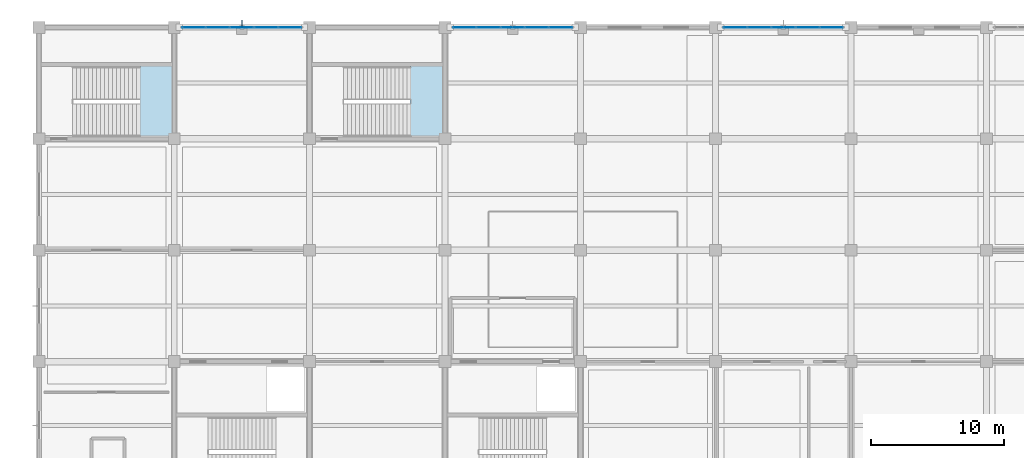
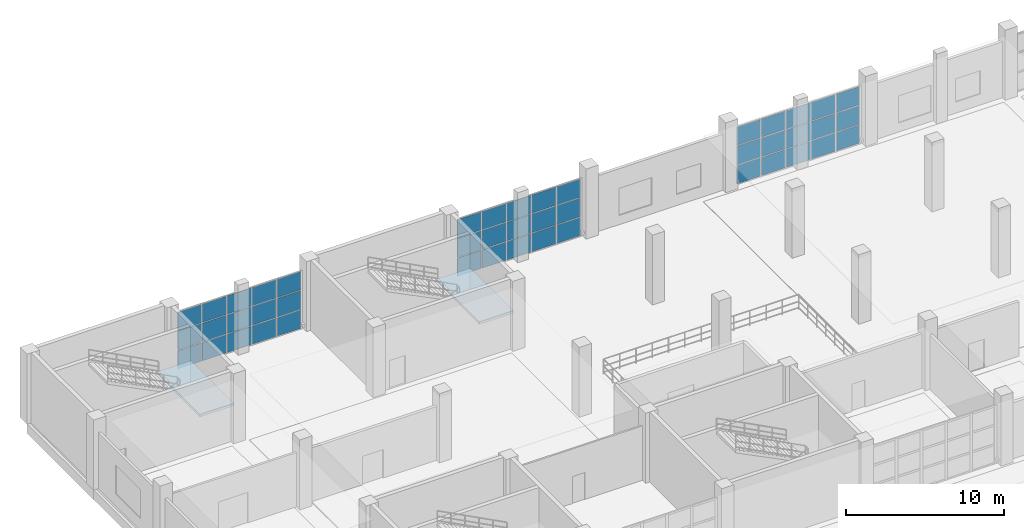
# One storey, part 120 of 175: 46 plates, 2 slabs, 5 elements without a shape of their own.
"""IFC4 building model written with IfcOpenShell, lengths in metres."""

import ifcopenshell
import ifcopenshell.guid

model = None  # the IFC model being written
_history = None  # IfcOwnerHistory: only IFC2X3 demands one
_inside = {}  # id of a spatial element -> (the spatial element, [elements in it])
_under = {}  # id of a project, library or spatial element -> (it, [spatial elements below it])
_declared = {}  # id of a project -> (the project, [libraries it declares])
_typed = {}  # id of a type object -> (the type object, [elements of that type])
_made_of = {}  # id of a material, layer set ... -> (it, [elements and type objects made of it])


def new_model(schema):
    """Start an empty IFC model of exactly this schema.

    Asked for "IFC4X3", IfcOpenShell would pick the latest addendum, in which some entities
    have other attributes; the version numbers below select the first issue.
    IFC2X3 requires an IfcOwnerHistory on every rooted entity: one is made here for all.
    """
    global model, _history
    if schema == "IFC4X3":
        model = ifcopenshell.file(schema_version=(4, 3, 0, 0))
    else:
        model = ifcopenshell.file(schema=schema)
    _inside.clear()
    _under.clear()
    _declared.clear()
    _typed.clear()
    _made_of.clear()
    _history = None
    if model.schema == "IFC2X3":
        org = make("IfcOrganization", Name="unknown")
        user = make(
            "IfcPersonAndOrganization",
            ThePerson=make("IfcPerson", FamilyName="unknown"),
            TheOrganization=org,
        )
        app = make(
            "IfcApplication",
            ApplicationDeveloper=org,
            Version="unknown",
            ApplicationFullName="unknown",
            ApplicationIdentifier="unknown",
        )
        _history = make(
            "IfcOwnerHistory",
            OwningUser=user,
            OwningApplication=app,
            ChangeAction="ADDED",
            CreationDate=0,
        )
    return model


def make(cls, **values):
    """One entity of the class cls with the attributes given. An attribute that is None is left unset."""
    return model.create_entity(
        cls, **{name: value for name, value in values.items() if value is not None}
    )


def rooted(cls, **values):
    """An entity with a GlobalId (a new one), such as an element, a storey or a relation."""
    return make(cls, GlobalId=ifcopenshell.guid.new(), OwnerHistory=_history, **values)


def si_unit(unit_type, name, prefix=None):
    """IfcSIUnit, for example si_unit("LENGTHUNIT", "METRE", prefix="MILLI")."""
    return make("IfcSIUnit", UnitType=unit_type, Prefix=prefix, Name=name)


def assignment(units):
    """IfcUnitAssignment: the units of a project."""
    return None if units is None else make("IfcUnitAssignment", Units=units)


def point(xyz):
    """IfcCartesianPoint."""
    return None if xyz is None else make("IfcCartesianPoint", Coordinates=xyz)


def direction(xyz):
    """IfcDirection."""
    return None if xyz is None else make("IfcDirection", DirectionRatios=xyz)


def frame(location, z_axis=None, x_axis=None):
    """IfcAxis2Placement3D, a coordinate frame: its origin and axes. An axis left out is left unset."""
    return make(
        "IfcAxis2Placement3D",
        Location=point(location),
        Axis=direction(z_axis),
        RefDirection=direction(x_axis),
    )


def frame_2d(location, x_axis=None):
    """IfcAxis2Placement2D, a coordinate frame in the plane: its origin and x axis."""
    return make(
        "IfcAxis2Placement2D", Location=point(location), RefDirection=direction(x_axis)
    )


def origin():
    """The frame at (0, 0, 0) with its axes left unset."""
    return frame((0.0, 0.0, 0.0))


def origin_2d():
    """The frame at (0, 0) in the plane with its x axis left unset."""
    return frame_2d((0.0, 0.0))


def place(relative_to, where):
    """IfcLocalPlacement: puts the frame where relative to a parent placement (None: the world)."""
    return make(
        "IfcLocalPlacement", PlacementRelTo=relative_to, RelativePlacement=where
    )


def context(
    kind, dimensions, precision=None, world=None, true_north=None, identifier=None
):
    """IfcGeometricRepresentationContext, for example the 3D "Model" context."""
    return make(
        "IfcGeometricRepresentationContext",
        ContextIdentifier=identifier,
        ContextType=kind,
        CoordinateSpaceDimension=dimensions,
        Precision=precision,
        WorldCoordinateSystem=world,
        TrueNorth=true_north,
    )


def subcontext(parent, identifier, kind, view, scale=None):
    """IfcGeometricRepresentationSubContext, for example "Body" below "Model"."""
    return make(
        "IfcGeometricRepresentationSubContext",
        ContextIdentifier=identifier,
        ContextType=kind,
        ParentContext=parent,
        TargetScale=scale,
        TargetView=view,
    )


def project(units=None, contexts=None):
    """IfcProject with its units and contexts."""
    return rooted(
        "IfcProject",
        Name="project",
        RepresentationContexts=contexts,
        UnitsInContext=assignment(units),
    )


def spatial(cls, under=None, at=None, **own):
    """A site, building, storey or space (cls), placed at a placement, below another one or the project."""
    s = rooted(cls, ObjectPlacement=at, **own)
    if under is not None:
        _under.setdefault(under.id(), (under, []))[1].append(s)
    return s


def polyline(points):
    """IfcPolyline through the points."""
    return make("IfcPolyline", Points=[point(p) for p in points])


def profile(cls, at=None, kind="AREA", **sizes):
    """A parametric profile (cls). Its sizes go by their IFC names, for example OverallWidth=200.0."""
    return make(cls, ProfileType=kind, Position=at, **sizes)


def rectangle(**sizes):
    """IfcRectangleProfileDef."""
    return profile("IfcRectangleProfileDef", **sizes)


def outline(outer, holes=None, kind="AREA"):
    """IfcArbitraryClosedProfileDef: a profile drawn as a closed curve; with holes, ...WithVoids."""
    if holes is None:
        return make("IfcArbitraryClosedProfileDef", ProfileType=kind, OuterCurve=outer)
    return make(
        "IfcArbitraryProfileDefWithVoids",
        ProfileType=kind,
        OuterCurve=outer,
        InnerCurves=holes,
    )


def extrude(swept, where, along, depth):
    """IfcExtrudedAreaSolid: the profile swept, set in the frame where, extruded along a direction by depth."""
    return make(
        "IfcExtrudedAreaSolid",
        SweptArea=swept,
        Position=where,
        ExtrudedDirection=direction(along),
        Depth=depth,
    )


def shape(context_of_items, identifier, shape_type, items):
    """IfcShapeRepresentation: the items that make up one representation, for example the "Body"."""
    return make(
        "IfcShapeRepresentation",
        ContextOfItems=context_of_items,
        RepresentationIdentifier=identifier,
        RepresentationType=shape_type,
        Items=items,
    )


def material(Name=None, Category=None):
    """IfcMaterial."""
    return make("IfcMaterial", Name=Name, Category=Category)


def layer(
    of_material, thickness, ventilated=None, Name=None, Category=None, Priority=None
):
    """IfcMaterialLayer: one layer of a wall or slab, of a material (None: an air gap)."""
    return make(
        "IfcMaterialLayer",
        Material=of_material,
        LayerThickness=thickness,
        IsVentilated=ventilated,
        Name=Name,
        Category=Category,
        Priority=Priority,
    )


def layer_set(layers, Name=None):
    """IfcMaterialLayerSet."""
    return make("IfcMaterialLayerSet", MaterialLayers=layers, LayerSetName=Name)


def made_of(thing, what):
    """Note that an element or type object is made of a material, layer set ...; save() writes the relation."""
    if what is not None:
        _made_of.setdefault(what.id(), (what, []))[1].append(thing)
    return thing


def type_object(cls, material=None, **own):
    """A type object (cls), such as IfcWallType, which elements share."""
    return made_of(rooted(cls, **own), material)


def element(
    cls,
    number,
    at=None,
    inside=None,
    cuts=None,
    type_object=None,
    material=None,
    context=None,
    identifier="Body",
    shape_type=None,
    held_by="IfcProductDefinitionShape",
    body=None,
    shapes=None,
    **own,
):
    """One element of the class cls, such as IfcWall. Its Tag is "e" and its number.

    at: its placement. inside: the storey or other place that contains it. cuts: it is an
    opening in that element (IfcRelVoidsElement). A single representation is given by context,
    identifier, shape_type and body (its items); several are given by shapes. held_by: the class
    of the entity that holds the representations. save() writes the other relations.
    """
    e = rooted(cls, Tag="e%d" % number, ObjectPlacement=at, **own)
    if body is not None:
        shapes = [shape(context, identifier, shape_type, body)]
    if shapes is not None:
        e.Representation = make(held_by, Representations=shapes)
    if inside is not None:
        _inside.setdefault(inside.id(), (inside, []))[1].append(e)
    if cuts is not None:
        rooted(
            "IfcRelVoidsElement", RelatingBuildingElement=cuts, RelatedOpeningElement=e
        )
    if type_object is not None:
        _typed.setdefault(type_object.id(), (type_object, []))[1].append(e)
    return made_of(e, material)


def aggregate(whole, parts):
    """IfcRelAggregates: a whole, such as a stair, and the parts it consists of."""
    return rooted("IfcRelAggregates", RelatingObject=whole, RelatedObjects=parts)


def save(model, path):
    """Write the relations noted so far, then the file.

    IfcRelAggregates (storeys below a building ...), IfcRelContainedInSpatialStructure (elements
    in a storey), IfcRelDefinesByType, IfcRelAssociatesMaterial and IfcRelDeclares: one each for
    every whole, place, type object, material and project.
    """
    for whole, parts in _under.values():
        aggregate(whole, parts)
    for where, things in _inside.values():
        rooted(
            "IfcRelContainedInSpatialStructure",
            RelatedElements=things,
            RelatingStructure=where,
        )
    for kind, things in _typed.values():
        rooted("IfcRelDefinesByType", RelatedObjects=things, RelatingType=kind)
    for what, things in _made_of.values():
        rooted("IfcRelAssociatesMaterial", RelatedObjects=things, RelatingMaterial=what)
    for by, libraries in _declared.values():
        rooted("IfcRelDeclares", RelatingContext=by, RelatedDefinitions=libraries)
    model.write(path)


model = new_model("IFC4")

# Units and contexts
model_context = context("Model", 3, precision=1e-05, world=origin(), true_north=direction((0.0, 1.0)))
body_context = subcontext(model_context, "Body", "Model", "MODEL_VIEW")
ifc_project = project(units=[si_unit("LENGTHUNIT", "METRE"), si_unit("AREAUNIT", "SQUARE_METRE"), si_unit("VOLUMEUNIT", "CUBIC_METRE"), si_unit("PLANEANGLEUNIT", "RADIAN"), si_unit("MASSUNIT", "GRAM", prefix="KILO")], contexts=[model_context])

# Site, building, storey
site_placement = place(None, origin())
site = spatial("IfcSite", under=ifc_project, at=site_placement, CompositionType="ELEMENT")
building_placement = place(site_placement, origin())
building = spatial("IfcBuilding", under=site, at=building_placement, Name="Brelvane Convention Centre", CompositionType="ELEMENT")
storey_placement = place(building_placement, frame((0.0, 0.0, 5.39990234375)))
storey = spatial("IfcBuildingStorey", under=building, at=storey_placement, Name="L01", CompositionType="ELEMENT", Elevation=5.39990234375)

# Curtain wall, plates
ifc_material_1 = material(Name="Anodised Aluminium Alloy 6063-T6", Category="aluminium")
curtain_wall_type = type_object("IfcCurtainWallType", Name="Curtain Wall CW-BOUL", PredefinedType="USERDEFINED", material=ifc_material_1)
curtain_wall_1_placement = place(storey_placement, origin())
curtain_wall_1 = element("IfcCurtainWall", 1, at=curtain_wall_1_placement, inside=storey, type_object=curtain_wall_type, Name="Curtain Wall CW-BOUL L01-V4N-02", ObjectType="UNITISED", PredefinedType="USERDEFINED")
ifc_material_2 = material(Name="Double Glazed Low-E Laminated Unit")
ifc_layer_1 = layer(ifc_material_2, 0.0380859375)
ifc_layer_set_1 = layer_set([ifc_layer_1], Name="Double Glazed Low-E Laminated Unit")
plate_type_1 = type_object("IfcPlateType", Name="Curtain Panel CW-PG2", PredefinedType="CURTAIN_PANEL", material=ifc_layer_set_1)
plate_1_placement = place(storey_placement, frame((11.67626953125, 144.0, 0.06005859375), z_axis=(0.0, 0.0, 1.0), x_axis=(1.0, 0.0, 0.0)))
plate_1 = element("IfcPlate", 2, at=plate_1_placement, type_object=plate_type_1, Name="CW-BOUL panel 1.1", PredefinedType="CURTAIN_PANEL", context=body_context, shape_type="SweptSolid", body=[
    extrude(rectangle(XDim=1.722412109375, YDim=0.0380859375, at=origin_2d()), origin(), (0.0, 0.0, 1.0), 1.409912109375),
])
plate_2_placement = place(storey_placement, frame((11.67626953125, 144.0, 1.530029296875), z_axis=(0.0, 0.0, 1.0), x_axis=(1.0, 0.0, 0.0)))
plate_2 = element("IfcPlate", 3, at=plate_2_placement, type_object=plate_type_1, Name="CW-BOUL panel 1.2", PredefinedType="CURTAIN_PANEL", context=body_context, shape_type="SweptSolid", body=[
    extrude(rectangle(XDim=1.722412109375, YDim=0.0380859375, at=origin_2d()), origin(), (0.0, 0.0, 1.0), 1.43994140625),
])
plate_3_placement = place(storey_placement, frame((11.67626953125, 144.0, 3.0302734375), z_axis=(0.0, 0.0, 1.0), x_axis=(1.0, 0.0, 0.0)))
plate_3 = element("IfcPlate", 4, at=plate_3_placement, type_object=plate_type_1, Name="CW-BOUL panel 1.3", PredefinedType="CURTAIN_PANEL", context=body_context, shape_type="SweptSolid", body=[
    extrude(rectangle(XDim=1.722412109375, YDim=0.0380859375, at=origin_2d()), origin(), (0.0, 0.0, 1.0), 1.409912109375),
])
plate_4_placement = place(storey_placement, frame((13.47998046875, 144.0, 0.06005859375), z_axis=(0.0, 0.0, 1.0), x_axis=(1.0, 0.0, 0.0)))
plate_4 = element("IfcPlate", 5, at=plate_4_placement, type_object=plate_type_1, Name="CW-BOUL panel 2.1", PredefinedType="CURTAIN_PANEL", context=body_context, shape_type="SweptSolid", body=[
    extrude(rectangle(XDim=1.7548828125, YDim=0.0380859375, at=origin_2d()), origin(), (0.0, 0.0, 1.0), 1.409912109375),
])
plate_5_placement = place(storey_placement, frame((13.47998046875, 144.0, 1.530029296875), z_axis=(0.0, 0.0, 1.0), x_axis=(1.0, 0.0, 0.0)))
plate_5 = element("IfcPlate", 6, at=plate_5_placement, type_object=plate_type_1, Name="CW-BOUL panel 2.2", PredefinedType="CURTAIN_PANEL", context=body_context, shape_type="SweptSolid", body=[
    extrude(rectangle(XDim=1.7548828125, YDim=0.0380859375, at=origin_2d()), origin(), (0.0, 0.0, 1.0), 1.43994140625),
])
plate_6_placement = place(storey_placement, frame((13.47998046875, 144.0, 3.0302734375), z_axis=(0.0, 0.0, 1.0), x_axis=(1.0, 0.0, 0.0)))
plate_6 = element("IfcPlate", 7, at=plate_6_placement, type_object=plate_type_1, Name="CW-BOUL panel 2.3", PredefinedType="CURTAIN_PANEL", context=body_context, shape_type="SweptSolid", body=[
    extrude(rectangle(XDim=1.7548828125, YDim=0.0380859375, at=origin_2d()), origin(), (0.0, 0.0, 1.0), 1.409912109375),
])
plate_7_placement = place(storey_placement, frame((15.300048828125, 144.0, 0.06005859375), z_axis=(0.0, 0.0, 1.0), x_axis=(1.0, 0.0, 0.0)))
plate_7 = element("IfcPlate", 8, at=plate_7_placement, type_object=plate_type_1, Name="CW-BOUL panel 3.1", PredefinedType="CURTAIN_PANEL", context=body_context, shape_type="SweptSolid", body=[
    extrude(rectangle(XDim=1.7548828125, YDim=0.0380859375, at=origin_2d()), origin(), (0.0, 0.0, 1.0), 1.409912109375),
])
plate_8_placement = place(storey_placement, frame((15.300048828125, 144.0, 1.530029296875), z_axis=(0.0, 0.0, 1.0), x_axis=(1.0, 0.0, 0.0)))
plate_8 = element("IfcPlate", 9, at=plate_8_placement, type_object=plate_type_1, Name="CW-BOUL panel 3.2", PredefinedType="CURTAIN_PANEL", context=body_context, shape_type="SweptSolid", body=[
    extrude(rectangle(XDim=1.7548828125, YDim=0.0380859375, at=origin_2d()), origin(), (0.0, 0.0, 1.0), 1.43994140625),
])
plate_9_placement = place(storey_placement, frame((15.300048828125, 144.0, 3.0302734375), z_axis=(0.0, 0.0, 1.0), x_axis=(1.0, 0.0, 0.0)))
plate_9 = element("IfcPlate", 10, at=plate_9_placement, type_object=plate_type_1, Name="CW-BOUL panel 3.3", PredefinedType="CURTAIN_PANEL", context=body_context, shape_type="SweptSolid", body=[
    extrude(rectangle(XDim=1.7548828125, YDim=0.0380859375, at=origin_2d()), origin(), (0.0, 0.0, 1.0), 1.409912109375),
])
plate_10_placement = place(storey_placement, frame((17.1201171875, 144.0, 0.06005859375), z_axis=(0.0, 0.0, 1.0), x_axis=(1.0, 0.0, 0.0)))
plate_10 = element("IfcPlate", 11, at=plate_10_placement, type_object=plate_type_1, Name="CW-BOUL panel 4.1", PredefinedType="CURTAIN_PANEL", context=body_context, shape_type="SweptSolid", body=[
    extrude(rectangle(XDim=1.7548828125, YDim=0.0380859375, at=origin_2d()), origin(), (0.0, 0.0, 1.0), 1.409912109375),
])
plate_11_placement = place(storey_placement, frame((17.1201171875, 144.0, 1.530029296875), z_axis=(0.0, 0.0, 1.0), x_axis=(1.0, 0.0, 0.0)))
plate_11 = element("IfcPlate", 12, at=plate_11_placement, type_object=plate_type_1, Name="CW-BOUL panel 4.2", PredefinedType="CURTAIN_PANEL", context=body_context, shape_type="SweptSolid", body=[
    extrude(rectangle(XDim=1.7548828125, YDim=0.0380859375, at=origin_2d()), origin(), (0.0, 0.0, 1.0), 1.43994140625),
])
plate_12_placement = place(storey_placement, frame((17.1201171875, 144.0, 3.0302734375), z_axis=(0.0, 0.0, 1.0), x_axis=(1.0, 0.0, 0.0)))
plate_12 = element("IfcPlate", 13, at=plate_12_placement, type_object=plate_type_1, Name="CW-BOUL panel 4.3", PredefinedType="CURTAIN_PANEL", context=body_context, shape_type="SweptSolid", body=[
    extrude(rectangle(XDim=1.7548828125, YDim=0.0380859375, at=origin_2d()), origin(), (0.0, 0.0, 1.0), 1.409912109375),
])
plate_13_placement = place(storey_placement, frame((18.923828125, 144.0, 0.06005859375), z_axis=(0.0, 0.0, 1.0), x_axis=(1.0, 0.0, 0.0)))
plate_13 = element("IfcPlate", 14, at=plate_13_placement, type_object=plate_type_1, Name="CW-BOUL panel 5.1", PredefinedType="CURTAIN_PANEL", context=body_context, shape_type="SweptSolid", body=[
    extrude(rectangle(XDim=1.722412109375, YDim=0.0380859375, at=origin_2d()), origin(), (0.0, 0.0, 1.0), 1.409912109375),
])
plate_14_placement = place(storey_placement, frame((18.923828125, 144.0, 1.530029296875), z_axis=(0.0, 0.0, 1.0), x_axis=(1.0, 0.0, 0.0)))
plate_14 = element("IfcPlate", 15, at=plate_14_placement, type_object=plate_type_1, Name="CW-BOUL panel 5.2", PredefinedType="CURTAIN_PANEL", context=body_context, shape_type="SweptSolid", body=[
    extrude(rectangle(XDim=1.722412109375, YDim=0.0380859375, at=origin_2d()), origin(), (0.0, 0.0, 1.0), 1.43994140625),
])
plate_15_placement = place(storey_placement, frame((18.923828125, 144.0, 3.0302734375), z_axis=(0.0, 0.0, 1.0), x_axis=(1.0, 0.0, 0.0)))
plate_15 = element("IfcPlate", 16, at=plate_15_placement, type_object=plate_type_1, Name="CW-BOUL panel 5.3", PredefinedType="CURTAIN_PANEL", context=body_context, shape_type="SweptSolid", body=[
    extrude(rectangle(XDim=1.722412109375, YDim=0.0380859375, at=origin_2d()), origin(), (0.0, 0.0, 1.0), 1.409912109375),
])
aggregate(curtain_wall_1, [plate_1, plate_2, plate_3, plate_4, plate_5, plate_6, plate_7, plate_8, plate_9, plate_10, plate_11, plate_12, plate_13, plate_14, plate_15])

curtain_wall_2_placement = place(storey_placement, origin())
curtain_wall_2 = element("IfcCurtainWall", 17, at=curtain_wall_2_placement, inside=storey, type_object=curtain_wall_type, Name="Curtain Wall CW-BOUL L01-V4N-04", ObjectType="UNITISED", PredefinedType="USERDEFINED")
plate_16_placement = place(storey_placement, frame((32.076171875, 144.0, 0.06005859375), z_axis=(0.0, 0.0, 1.0), x_axis=(1.0, 0.0, 0.0)))
plate_16 = element("IfcPlate", 18, at=plate_16_placement, type_object=plate_type_1, Name="CW-BOUL panel 1.1", PredefinedType="CURTAIN_PANEL", context=body_context, shape_type="SweptSolid", body=[
    extrude(rectangle(XDim=1.722412109375, YDim=0.0380859375, at=origin_2d()), origin(), (0.0, 0.0, 1.0), 1.409912109375),
])
plate_17_placement = place(storey_placement, frame((32.076171875, 144.0, 1.530029296875), z_axis=(0.0, 0.0, 1.0), x_axis=(1.0, 0.0, 0.0)))
plate_17 = element("IfcPlate", 19, at=plate_17_placement, type_object=plate_type_1, Name="CW-BOUL panel 1.2", PredefinedType="CURTAIN_PANEL", context=body_context, shape_type="SweptSolid", body=[
    extrude(rectangle(XDim=1.722412109375, YDim=0.0380859375, at=origin_2d()), origin(), (0.0, 0.0, 1.0), 1.43994140625),
])
plate_18_placement = place(storey_placement, frame((32.076171875, 144.0, 3.0302734375), z_axis=(0.0, 0.0, 1.0), x_axis=(1.0, 0.0, 0.0)))
plate_18 = element("IfcPlate", 20, at=plate_18_placement, type_object=plate_type_1, Name="CW-BOUL panel 1.3", PredefinedType="CURTAIN_PANEL", context=body_context, shape_type="SweptSolid", body=[
    extrude(rectangle(XDim=1.722412109375, YDim=0.0380859375, at=origin_2d()), origin(), (0.0, 0.0, 1.0), 1.409912109375),
])
plate_19_placement = place(storey_placement, frame((33.8798828125, 144.0, 0.06005859375), z_axis=(0.0, 0.0, 1.0), x_axis=(1.0, 0.0, 0.0)))
plate_19 = element("IfcPlate", 21, at=plate_19_placement, type_object=plate_type_1, Name="CW-BOUL panel 2.1", PredefinedType="CURTAIN_PANEL", context=body_context, shape_type="SweptSolid", body=[
    extrude(rectangle(XDim=1.7548828125, YDim=0.0380859375, at=origin_2d()), origin(), (0.0, 0.0, 1.0), 1.409912109375),
])
plate_20_placement = place(storey_placement, frame((33.8798828125, 144.0, 1.530029296875), z_axis=(0.0, 0.0, 1.0), x_axis=(1.0, 0.0, 0.0)))
plate_20 = element("IfcPlate", 22, at=plate_20_placement, type_object=plate_type_1, Name="CW-BOUL panel 2.2", PredefinedType="CURTAIN_PANEL", context=body_context, shape_type="SweptSolid", body=[
    extrude(rectangle(XDim=1.7548828125, YDim=0.0380859375, at=origin_2d()), origin(), (0.0, 0.0, 1.0), 1.43994140625),
])
plate_21_placement = place(storey_placement, frame((33.8798828125, 144.0, 3.0302734375), z_axis=(0.0, 0.0, 1.0), x_axis=(1.0, 0.0, 0.0)))
plate_21 = element("IfcPlate", 23, at=plate_21_placement, type_object=plate_type_1, Name="CW-BOUL panel 2.3", PredefinedType="CURTAIN_PANEL", context=body_context, shape_type="SweptSolid", body=[
    extrude(rectangle(XDim=1.7548828125, YDim=0.0380859375, at=origin_2d()), origin(), (0.0, 0.0, 1.0), 1.409912109375),
])
plate_22_placement = place(storey_placement, frame((35.699951171875, 144.0, 0.06005859375), z_axis=(0.0, 0.0, 1.0), x_axis=(1.0, 0.0, 0.0)))
plate_22 = element("IfcPlate", 24, at=plate_22_placement, type_object=plate_type_1, Name="CW-BOUL panel 3.1", PredefinedType="CURTAIN_PANEL", context=body_context, shape_type="SweptSolid", body=[
    extrude(rectangle(XDim=1.7548828125, YDim=0.0380859375, at=origin_2d()), origin(), (0.0, 0.0, 1.0), 1.409912109375),
])
plate_23_placement = place(storey_placement, frame((35.699951171875, 144.0, 1.530029296875), z_axis=(0.0, 0.0, 1.0), x_axis=(1.0, 0.0, 0.0)))
plate_23 = element("IfcPlate", 25, at=plate_23_placement, type_object=plate_type_1, Name="CW-BOUL panel 3.2", PredefinedType="CURTAIN_PANEL", context=body_context, shape_type="SweptSolid", body=[
    extrude(rectangle(XDim=1.7548828125, YDim=0.0380859375, at=origin_2d()), origin(), (0.0, 0.0, 1.0), 1.43994140625),
])
plate_24_placement = place(storey_placement, frame((35.699951171875, 144.0, 3.0302734375), z_axis=(0.0, 0.0, 1.0), x_axis=(1.0, 0.0, 0.0)))
plate_24 = element("IfcPlate", 26, at=plate_24_placement, type_object=plate_type_1, Name="CW-BOUL panel 3.3", PredefinedType="CURTAIN_PANEL", context=body_context, shape_type="SweptSolid", body=[
    extrude(rectangle(XDim=1.7548828125, YDim=0.0380859375, at=origin_2d()), origin(), (0.0, 0.0, 1.0), 1.409912109375),
])
plate_25_placement = place(storey_placement, frame((37.52001953125, 144.0, 0.06005859375), z_axis=(0.0, 0.0, 1.0), x_axis=(1.0, 0.0, 0.0)))
plate_25 = element("IfcPlate", 27, at=plate_25_placement, type_object=plate_type_1, Name="CW-BOUL panel 4.1", PredefinedType="CURTAIN_PANEL", context=body_context, shape_type="SweptSolid", body=[
    extrude(rectangle(XDim=1.7548828125, YDim=0.0380859375, at=origin_2d()), origin(), (0.0, 0.0, 1.0), 1.409912109375),
])
plate_26_placement = place(storey_placement, frame((37.52001953125, 144.0, 1.530029296875), z_axis=(0.0, 0.0, 1.0), x_axis=(1.0, 0.0, 0.0)))
plate_26 = element("IfcPlate", 28, at=plate_26_placement, type_object=plate_type_1, Name="CW-BOUL panel 4.2", PredefinedType="CURTAIN_PANEL", context=body_context, shape_type="SweptSolid", body=[
    extrude(rectangle(XDim=1.7548828125, YDim=0.0380859375, at=origin_2d()), origin(), (0.0, 0.0, 1.0), 1.43994140625),
])
plate_27_placement = place(storey_placement, frame((37.52001953125, 144.0, 3.0302734375), z_axis=(0.0, 0.0, 1.0), x_axis=(1.0, 0.0, 0.0)))
plate_27 = element("IfcPlate", 29, at=plate_27_placement, type_object=plate_type_1, Name="CW-BOUL panel 4.3", PredefinedType="CURTAIN_PANEL", context=body_context, shape_type="SweptSolid", body=[
    extrude(rectangle(XDim=1.7548828125, YDim=0.0380859375, at=origin_2d()), origin(), (0.0, 0.0, 1.0), 1.409912109375),
])
plate_28_placement = place(storey_placement, frame((39.32373046875, 144.0, 0.06005859375), z_axis=(0.0, 0.0, 1.0), x_axis=(1.0, 0.0, 0.0)))
plate_28 = element("IfcPlate", 30, at=plate_28_placement, type_object=plate_type_1, Name="CW-BOUL panel 5.1", PredefinedType="CURTAIN_PANEL", context=body_context, shape_type="SweptSolid", body=[
    extrude(rectangle(XDim=1.722412109375, YDim=0.0380859375, at=origin_2d()), origin(), (0.0, 0.0, 1.0), 1.409912109375),
])
plate_29_placement = place(storey_placement, frame((39.32373046875, 144.0, 1.530029296875), z_axis=(0.0, 0.0, 1.0), x_axis=(1.0, 0.0, 0.0)))
plate_29 = element("IfcPlate", 31, at=plate_29_placement, type_object=plate_type_1, Name="CW-BOUL panel 5.2", PredefinedType="CURTAIN_PANEL", context=body_context, shape_type="SweptSolid", body=[
    extrude(rectangle(XDim=1.722412109375, YDim=0.0380859375, at=origin_2d()), origin(), (0.0, 0.0, 1.0), 1.43994140625),
])
plate_30_placement = place(storey_placement, frame((39.32373046875, 144.0, 3.0302734375), z_axis=(0.0, 0.0, 1.0), x_axis=(1.0, 0.0, 0.0)))
plate_30 = element("IfcPlate", 32, at=plate_30_placement, type_object=plate_type_1, Name="CW-BOUL panel 5.3", PredefinedType="CURTAIN_PANEL", context=body_context, shape_type="SweptSolid", body=[
    extrude(rectangle(XDim=1.722412109375, YDim=0.0380859375, at=origin_2d()), origin(), (0.0, 0.0, 1.0), 1.409912109375),
])
aggregate(curtain_wall_2, [plate_16, plate_17, plate_18, plate_19, plate_20, plate_21, plate_22, plate_23, plate_24, plate_25, plate_26, plate_27, plate_28, plate_29, plate_30])

curtain_wall_3_placement = place(storey_placement, origin())
curtain_wall_3 = element("IfcCurtainWall", 33, at=curtain_wall_3_placement, inside=storey, type_object=curtain_wall_type, Name="Curtain Wall CW-BOUL L01-V4N-06", ObjectType="UNITISED", PredefinedType="USERDEFINED")
plate_31_placement = place(storey_placement, frame((52.476318359375, 144.0, 0.06005859375), z_axis=(0.0, 0.0, 1.0), x_axis=(1.0, 0.0, 0.0)))
plate_31 = element("IfcPlate", 34, at=plate_31_placement, type_object=plate_type_1, Name="CW-BOUL panel 1.1", PredefinedType="CURTAIN_PANEL", context=body_context, shape_type="SweptSolid", body=[
    extrude(rectangle(XDim=1.722412109375, YDim=0.0380859375, at=origin_2d()), origin(), (0.0, 0.0, 1.0), 1.409912109375),
])
plate_32_placement = place(storey_placement, frame((52.476318359375, 144.0, 1.530029296875), z_axis=(0.0, 0.0, 1.0), x_axis=(1.0, 0.0, 0.0)))
plate_32 = element("IfcPlate", 35, at=plate_32_placement, type_object=plate_type_1, Name="CW-BOUL panel 1.2", PredefinedType="CURTAIN_PANEL", context=body_context, shape_type="SweptSolid", body=[
    extrude(rectangle(XDim=1.722412109375, YDim=0.0380859375, at=origin_2d()), origin(), (0.0, 0.0, 1.0), 1.43994140625),
])
plate_33_placement = place(storey_placement, frame((52.476318359375, 144.0, 3.0302734375), z_axis=(0.0, 0.0, 1.0), x_axis=(1.0, 0.0, 0.0)))
plate_33 = element("IfcPlate", 36, at=plate_33_placement, type_object=plate_type_1, Name="CW-BOUL panel 1.3", PredefinedType="CURTAIN_PANEL", context=body_context, shape_type="SweptSolid", body=[
    extrude(rectangle(XDim=1.722412109375, YDim=0.0380859375, at=origin_2d()), origin(), (0.0, 0.0, 1.0), 1.409912109375),
])
plate_34_placement = place(storey_placement, frame((54.280029296875, 144.0, 0.06005859375), z_axis=(0.0, 0.0, 1.0), x_axis=(1.0, 0.0, 0.0)))
plate_34 = element("IfcPlate", 37, at=plate_34_placement, type_object=plate_type_1, Name="CW-BOUL panel 2.1", PredefinedType="CURTAIN_PANEL", context=body_context, shape_type="SweptSolid", body=[
    extrude(rectangle(XDim=1.7548828125, YDim=0.0380859375, at=origin_2d()), origin(), (0.0, 0.0, 1.0), 1.409912109375),
])
plate_35_placement = place(storey_placement, frame((54.280029296875, 144.0, 1.530029296875), z_axis=(0.0, 0.0, 1.0), x_axis=(1.0, 0.0, 0.0)))
plate_35 = element("IfcPlate", 38, at=plate_35_placement, type_object=plate_type_1, Name="CW-BOUL panel 2.2", PredefinedType="CURTAIN_PANEL", context=body_context, shape_type="SweptSolid", body=[
    extrude(rectangle(XDim=1.7548828125, YDim=0.0380859375, at=origin_2d()), origin(), (0.0, 0.0, 1.0), 1.43994140625),
])
plate_36_placement = place(storey_placement, frame((54.280029296875, 144.0, 3.0302734375), z_axis=(0.0, 0.0, 1.0), x_axis=(1.0, 0.0, 0.0)))
plate_36 = element("IfcPlate", 39, at=plate_36_placement, type_object=plate_type_1, Name="CW-BOUL panel 2.3", PredefinedType="CURTAIN_PANEL", context=body_context, shape_type="SweptSolid", body=[
    extrude(rectangle(XDim=1.7548828125, YDim=0.0380859375, at=origin_2d()), origin(), (0.0, 0.0, 1.0), 1.409912109375),
])
plate_37_placement = place(storey_placement, frame((56.10009765625, 144.0, 0.06005859375), z_axis=(0.0, 0.0, 1.0), x_axis=(1.0, 0.0, 0.0)))
plate_37 = element("IfcPlate", 40, at=plate_37_placement, type_object=plate_type_1, Name="CW-BOUL panel 3.1", PredefinedType="CURTAIN_PANEL", context=body_context, shape_type="SweptSolid", body=[
    extrude(rectangle(XDim=1.7548828125, YDim=0.0380859375, at=origin_2d()), origin(), (0.0, 0.0, 1.0), 1.409912109375),
])
plate_38_placement = place(storey_placement, frame((56.10009765625, 144.0, 1.530029296875), z_axis=(0.0, 0.0, 1.0), x_axis=(1.0, 0.0, 0.0)))
plate_38 = element("IfcPlate", 41, at=plate_38_placement, type_object=plate_type_1, Name="CW-BOUL panel 3.2", PredefinedType="CURTAIN_PANEL", context=body_context, shape_type="SweptSolid", body=[
    extrude(rectangle(XDim=1.7548828125, YDim=0.0380859375, at=origin_2d()), origin(), (0.0, 0.0, 1.0), 1.43994140625),
])
plate_39_placement = place(storey_placement, frame((56.10009765625, 144.0, 3.0302734375), z_axis=(0.0, 0.0, 1.0), x_axis=(1.0, 0.0, 0.0)))
plate_39 = element("IfcPlate", 42, at=plate_39_placement, type_object=plate_type_1, Name="CW-BOUL panel 3.3", PredefinedType="CURTAIN_PANEL", context=body_context, shape_type="SweptSolid", body=[
    extrude(rectangle(XDim=1.7548828125, YDim=0.0380859375, at=origin_2d()), origin(), (0.0, 0.0, 1.0), 1.409912109375),
])
plate_40_placement = place(storey_placement, frame((57.919921875, 144.0, 0.06005859375), z_axis=(0.0, 0.0, 1.0), x_axis=(1.0, 0.0, 0.0)))
plate_40 = element("IfcPlate", 43, at=plate_40_placement, type_object=plate_type_1, Name="CW-BOUL panel 4.1", PredefinedType="CURTAIN_PANEL", context=body_context, shape_type="SweptSolid", body=[
    extrude(rectangle(XDim=1.7548828125, YDim=0.0380859375, at=origin_2d()), origin(), (0.0, 0.0, 1.0), 1.409912109375),
])
plate_41_placement = place(storey_placement, frame((57.919921875, 144.0, 1.530029296875), z_axis=(0.0, 0.0, 1.0), x_axis=(1.0, 0.0, 0.0)))
plate_41 = element("IfcPlate", 44, at=plate_41_placement, type_object=plate_type_1, Name="CW-BOUL panel 4.2", PredefinedType="CURTAIN_PANEL", context=body_context, shape_type="SweptSolid", body=[
    extrude(rectangle(XDim=1.7548828125, YDim=0.0380859375, at=origin_2d()), origin(), (0.0, 0.0, 1.0), 1.43994140625),
])
plate_42_placement = place(storey_placement, frame((57.919921875, 144.0, 3.0302734375), z_axis=(0.0, 0.0, 1.0), x_axis=(1.0, 0.0, 0.0)))
plate_42 = element("IfcPlate", 45, at=plate_42_placement, type_object=plate_type_1, Name="CW-BOUL panel 4.3", PredefinedType="CURTAIN_PANEL", context=body_context, shape_type="SweptSolid", body=[
    extrude(rectangle(XDim=1.7548828125, YDim=0.0380859375, at=origin_2d()), origin(), (0.0, 0.0, 1.0), 1.409912109375),
])
plate_43_placement = place(storey_placement, frame((59.7236328125, 144.0, 0.06005859375), z_axis=(0.0, 0.0, 1.0), x_axis=(1.0, 0.0, 0.0)))
plate_43 = element("IfcPlate", 46, at=plate_43_placement, type_object=plate_type_1, Name="CW-BOUL panel 5.1", PredefinedType="CURTAIN_PANEL", context=body_context, shape_type="SweptSolid", body=[
    extrude(rectangle(XDim=1.722412109375, YDim=0.0380859375, at=origin_2d()), origin(), (0.0, 0.0, 1.0), 1.409912109375),
])
plate_44_placement = place(storey_placement, frame((59.7236328125, 144.0, 1.530029296875), z_axis=(0.0, 0.0, 1.0), x_axis=(1.0, 0.0, 0.0)))
plate_44 = element("IfcPlate", 47, at=plate_44_placement, type_object=plate_type_1, Name="CW-BOUL panel 5.2", PredefinedType="CURTAIN_PANEL", context=body_context, shape_type="SweptSolid", body=[
    extrude(rectangle(XDim=1.722412109375, YDim=0.0380859375, at=origin_2d()), origin(), (0.0, 0.0, 1.0), 1.43994140625),
])
plate_45_placement = place(storey_placement, frame((59.7236328125, 144.0, 3.0302734375), z_axis=(0.0, 0.0, 1.0), x_axis=(1.0, 0.0, 0.0)))
plate_45 = element("IfcPlate", 48, at=plate_45_placement, type_object=plate_type_1, Name="CW-BOUL panel 5.3", PredefinedType="CURTAIN_PANEL", context=body_context, shape_type="SweptSolid", body=[
    extrude(rectangle(XDim=1.722412109375, YDim=0.0380859375, at=origin_2d()), origin(), (0.0, 0.0, 1.0), 1.409912109375),
])
aggregate(curtain_wall_3, [plate_31, plate_32, plate_33, plate_34, plate_35, plate_36, plate_37, plate_38, plate_39, plate_40, plate_41, plate_42, plate_43, plate_44, plate_45])

# Plate
ifc_material_3 = material(Name="Patinated Copper-Bronze Alloy C22000")
ifc_layer_2 = layer(ifc_material_3, 0.044921875)
ifc_layer_set_2 = layer_set([ifc_layer_2], Name="Patinated Copper-Bronze Alloy C22000")
plate_type_2 = type_object("IfcPlateType", Name="Monsoon Sun Fin FN-CU2", PredefinedType="USERDEFINED", material=ifc_layer_set_2)
plate_46_placement = place(storey_placement, frame((15.300048828125, 144.27490234375, 0.449951171875), z_axis=(0.0, 0.0, 1.0), x_axis=(1.0, 0.0, 0.0)))
element("IfcPlate", 49, at=plate_46_placement, inside=storey, type_object=plate_type_2, Name="Rear Wing Monsoon Sun Fin L01-F2", ObjectType="SHADING_DEVICE", PredefinedType="USERDEFINED", context=body_context, shape_type="SweptSolid", body=[
    extrude(rectangle(XDim=0.044921875, YDim=0.550048828125, at=origin_2d()), origin(), (0.0, 0.0, 1.0), 3.60009765625),
])

# Stair, slab
ifc_material_4 = material(Name="Concrete M40", Category="concrete")
stair_type = type_object("IfcStairType", Name="Exit Stair ST-CORE", PredefinedType="HALF_TURN_STAIR", material=ifc_material_4)
stair_1_placement = place(storey_placement, origin())
stair_1 = element("IfcStair", 50, at=stair_1_placement, inside=storey, type_object=stair_type, Name="Exit Stair ST-13 (L01 to L02)", PredefinedType="HALF_TURN_STAIR")
ifc_material_5 = material(Name="Concrete M40", Category="concrete")
ifc_layer_3 = layer(ifc_material_5, 0.199951171875)
ifc_layer_set_3 = layer_set([ifc_layer_3], Name="Concrete M40")
slab_type = type_object("IfcSlabType", Name="Stair Landing SL-LND-200", PredefinedType="LANDING", material=ifc_layer_set_3)
slab_1_placement = place(storey_placement, frame((0.0, 0.0, 2.5)))
slab_1 = element("IfcSlab", 51, at=slab_1_placement, type_object=slab_type, Name="Stair ST-13 L01 Half Landing", PredefinedType="LANDING", context=body_context, shape_type="SweptSolid", body=[
    extrude(outline(polyline([(28.02001953125, 135.679931640625), (30.52001953125, 135.679931640625), (30.52001953125, 141.1201171875), (28.02001953125, 141.1201171875), (28.02001953125, 135.679931640625)])), origin(), (0.0, 0.0, 1.0), 0.2001953125),
])
aggregate(stair_1, [slab_1])

stair_2_placement = place(storey_placement, origin())
stair_2 = element("IfcStair", 52, at=stair_2_placement, inside=storey, type_object=stair_type, Name="Exit Stair ST-17 (L01 to L02)", PredefinedType="HALF_TURN_STAIR")
slab_2_placement = place(storey_placement, frame((0.0, 0.0, 2.5)))
slab_2 = element("IfcSlab", 53, at=slab_2_placement, type_object=slab_type, Name="Stair ST-17 L01 Half Landing", PredefinedType="LANDING", context=body_context, shape_type="SweptSolid", body=[
    extrude(outline(polyline([(7.6201171875, 135.679931640625), (10.1201171875, 135.679931640625), (10.1201171875, 141.1201171875), (7.6201171875, 141.1201171875), (7.6201171875, 135.679931640625)])), origin(), (0.0, 0.0, 1.0), 0.2001953125),
])
aggregate(stair_2, [slab_2])

save(model, "model.ifc")
